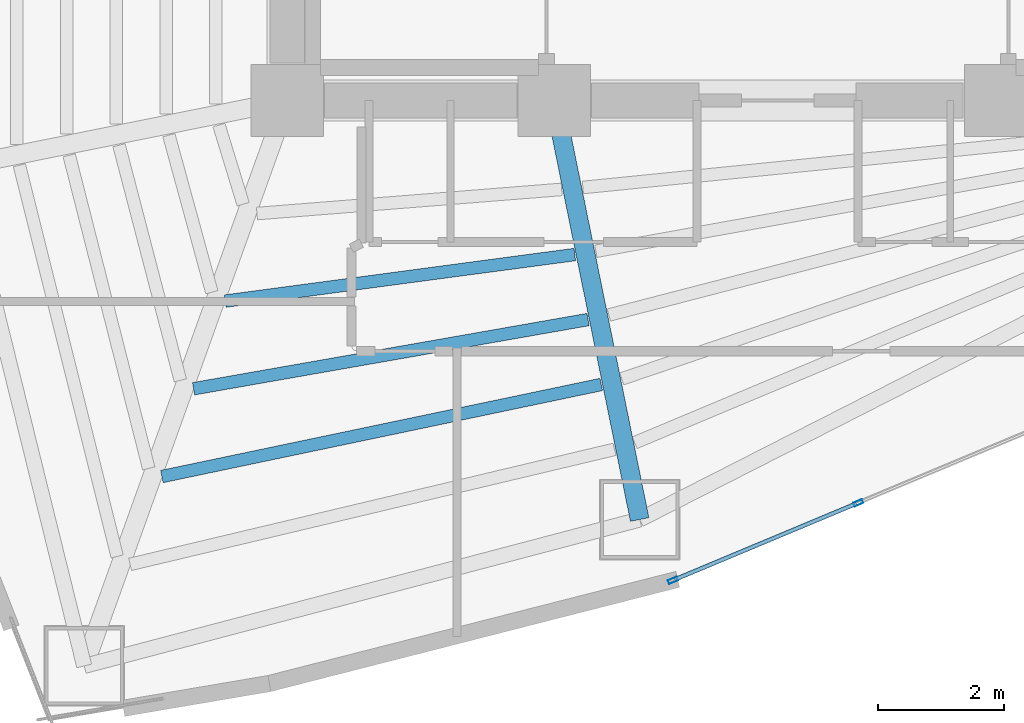
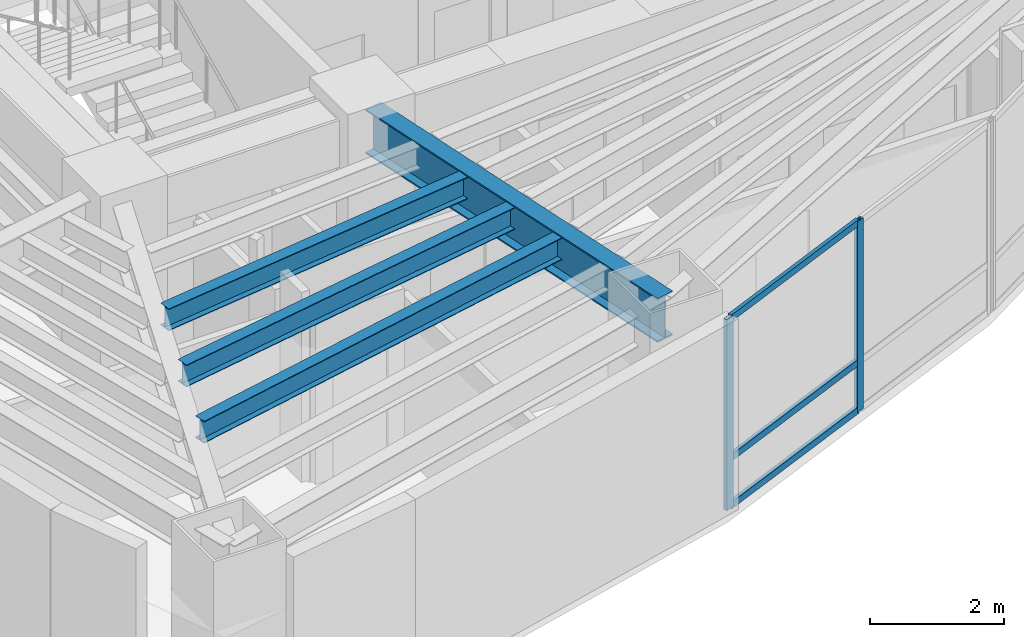
# One storey, part 2 of 18: 5 members, 4 beams, 1 element without a shape of its own.
"""IFC4 building model written with IfcOpenShell, lengths in metres."""

import ifcopenshell
import ifcopenshell.guid

model = None  # the IFC model being written
_history = None  # IfcOwnerHistory: only IFC2X3 demands one
_inside = {}  # id of a spatial element -> (the spatial element, [elements in it])
_under = {}  # id of a project, library or spatial element -> (it, [spatial elements below it])
_declared = {}  # id of a project -> (the project, [libraries it declares])
_typed = {}  # id of a type object -> (the type object, [elements of that type])
_made_of = {}  # id of a material, layer set ... -> (it, [elements and type objects made of it])


def new_model(schema):
    """Start an empty IFC model of exactly this schema.

    Asked for "IFC4X3", IfcOpenShell would pick the latest addendum, in which some entities
    have other attributes; the version numbers below select the first issue.
    IFC2X3 requires an IfcOwnerHistory on every rooted entity: one is made here for all.
    """
    global model, _history
    if schema == "IFC4X3":
        model = ifcopenshell.file(schema_version=(4, 3, 0, 0))
    else:
        model = ifcopenshell.file(schema=schema)
    _inside.clear()
    _under.clear()
    _declared.clear()
    _typed.clear()
    _made_of.clear()
    _history = None
    if model.schema == "IFC2X3":
        org = make("IfcOrganization", Name="unknown")
        user = make(
            "IfcPersonAndOrganization",
            ThePerson=make("IfcPerson", FamilyName="unknown"),
            TheOrganization=org,
        )
        app = make(
            "IfcApplication",
            ApplicationDeveloper=org,
            Version="unknown",
            ApplicationFullName="unknown",
            ApplicationIdentifier="unknown",
        )
        _history = make(
            "IfcOwnerHistory",
            OwningUser=user,
            OwningApplication=app,
            ChangeAction="ADDED",
            CreationDate=0,
        )
    return model


def make(cls, **values):
    """One entity of the class cls with the attributes given. An attribute that is None is left unset."""
    return model.create_entity(
        cls, **{name: value for name, value in values.items() if value is not None}
    )


def rooted(cls, **values):
    """An entity with a GlobalId (a new one), such as an element, a storey or a relation."""
    return make(cls, GlobalId=ifcopenshell.guid.new(), OwnerHistory=_history, **values)


def si_unit(unit_type, name, prefix=None):
    """IfcSIUnit, for example si_unit("LENGTHUNIT", "METRE", prefix="MILLI")."""
    return make("IfcSIUnit", UnitType=unit_type, Prefix=prefix, Name=name)


def assignment(units):
    """IfcUnitAssignment: the units of a project."""
    return None if units is None else make("IfcUnitAssignment", Units=units)


def point(xyz):
    """IfcCartesianPoint."""
    return None if xyz is None else make("IfcCartesianPoint", Coordinates=xyz)


def direction(xyz):
    """IfcDirection."""
    return None if xyz is None else make("IfcDirection", DirectionRatios=xyz)


def frame(location, z_axis=None, x_axis=None):
    """IfcAxis2Placement3D, a coordinate frame: its origin and axes. An axis left out is left unset."""
    return make(
        "IfcAxis2Placement3D",
        Location=point(location),
        Axis=direction(z_axis),
        RefDirection=direction(x_axis),
    )


def frame_2d(location, x_axis=None):
    """IfcAxis2Placement2D, a coordinate frame in the plane: its origin and x axis."""
    return make(
        "IfcAxis2Placement2D", Location=point(location), RefDirection=direction(x_axis)
    )


def origin():
    """The frame at (0, 0, 0) with its axes left unset."""
    return frame((0.0, 0.0, 0.0))


def origin_2d():
    """The frame at (0, 0) in the plane with its x axis left unset."""
    return frame_2d((0.0, 0.0))


def place(relative_to, where):
    """IfcLocalPlacement: puts the frame where relative to a parent placement (None: the world)."""
    return make(
        "IfcLocalPlacement", PlacementRelTo=relative_to, RelativePlacement=where
    )


def context(
    kind, dimensions, precision=None, world=None, true_north=None, identifier=None
):
    """IfcGeometricRepresentationContext, for example the 3D "Model" context."""
    return make(
        "IfcGeometricRepresentationContext",
        ContextIdentifier=identifier,
        ContextType=kind,
        CoordinateSpaceDimension=dimensions,
        Precision=precision,
        WorldCoordinateSystem=world,
        TrueNorth=true_north,
    )


def subcontext(parent, identifier, kind, view, scale=None):
    """IfcGeometricRepresentationSubContext, for example "Body" below "Model"."""
    return make(
        "IfcGeometricRepresentationSubContext",
        ContextIdentifier=identifier,
        ContextType=kind,
        ParentContext=parent,
        TargetScale=scale,
        TargetView=view,
    )


def project(units=None, contexts=None):
    """IfcProject with its units and contexts."""
    return rooted(
        "IfcProject",
        Name="project",
        RepresentationContexts=contexts,
        UnitsInContext=assignment(units),
    )


def spatial(cls, under=None, at=None, **own):
    """A site, building, storey or space (cls), placed at a placement, below another one or the project."""
    s = rooted(cls, ObjectPlacement=at, **own)
    if under is not None:
        _under.setdefault(under.id(), (under, []))[1].append(s)
    return s


def profile(cls, at=None, kind="AREA", **sizes):
    """A parametric profile (cls). Its sizes go by their IFC names, for example OverallWidth=200.0."""
    return make(cls, ProfileType=kind, Position=at, **sizes)


def hollow_rectangle(**sizes):
    """IfcRectangleHollowProfileDef."""
    return profile("IfcRectangleHollowProfileDef", **sizes)


def i_section(**sizes):
    """IfcIShapeProfileDef."""
    return profile("IfcIShapeProfileDef", **sizes)


def extrude(swept, where, along, depth):
    """IfcExtrudedAreaSolid: the profile swept, set in the frame where, extruded along a direction by depth."""
    return make(
        "IfcExtrudedAreaSolid",
        SweptArea=swept,
        Position=where,
        ExtrudedDirection=direction(along),
        Depth=depth,
    )


def shape(context_of_items, identifier, shape_type, items):
    """IfcShapeRepresentation: the items that make up one representation, for example the "Body"."""
    return make(
        "IfcShapeRepresentation",
        ContextOfItems=context_of_items,
        RepresentationIdentifier=identifier,
        RepresentationType=shape_type,
        Items=items,
    )


def material(Name=None, Category=None):
    """IfcMaterial."""
    return make("IfcMaterial", Name=Name, Category=Category)


def layer(
    of_material, thickness, ventilated=None, Name=None, Category=None, Priority=None
):
    """IfcMaterialLayer: one layer of a wall or slab, of a material (None: an air gap)."""
    return make(
        "IfcMaterialLayer",
        Material=of_material,
        LayerThickness=thickness,
        IsVentilated=ventilated,
        Name=Name,
        Category=Category,
        Priority=Priority,
    )


def layer_set(layers, Name=None):
    """IfcMaterialLayerSet."""
    return make("IfcMaterialLayerSet", MaterialLayers=layers, LayerSetName=Name)


def material_profile(
    of_material, cross_section, Name=None, Category=None, Priority=None
):
    """IfcMaterialProfile: a cross section and its material."""
    return make(
        "IfcMaterialProfile",
        Name=Name,
        Material=of_material,
        Profile=cross_section,
        Priority=Priority,
        Category=Category,
    )


def profile_set(profiles, Name=None, composite=None):
    """IfcMaterialProfileSet."""
    return make(
        "IfcMaterialProfileSet",
        Name=Name,
        MaterialProfiles=profiles,
        CompositeProfile=composite,
    )


def made_of(thing, what):
    """Note that an element or type object is made of a material, layer set ...; save() writes the relation."""
    if what is not None:
        _made_of.setdefault(what.id(), (what, []))[1].append(thing)
    return thing


def type_object(cls, material=None, **own):
    """A type object (cls), such as IfcWallType, which elements share."""
    return made_of(rooted(cls, **own), material)


def element(
    cls,
    number,
    at=None,
    inside=None,
    cuts=None,
    type_object=None,
    material=None,
    context=None,
    identifier="Body",
    shape_type=None,
    held_by="IfcProductDefinitionShape",
    body=None,
    shapes=None,
    **own,
):
    """One element of the class cls, such as IfcWall. Its Tag is "e" and its number.

    at: its placement. inside: the storey or other place that contains it. cuts: it is an
    opening in that element (IfcRelVoidsElement). A single representation is given by context,
    identifier, shape_type and body (its items); several are given by shapes. held_by: the class
    of the entity that holds the representations. save() writes the other relations.
    """
    e = rooted(cls, Tag="e%d" % number, ObjectPlacement=at, **own)
    if body is not None:
        shapes = [shape(context, identifier, shape_type, body)]
    if shapes is not None:
        e.Representation = make(held_by, Representations=shapes)
    if inside is not None:
        _inside.setdefault(inside.id(), (inside, []))[1].append(e)
    if cuts is not None:
        rooted(
            "IfcRelVoidsElement", RelatingBuildingElement=cuts, RelatedOpeningElement=e
        )
    if type_object is not None:
        _typed.setdefault(type_object.id(), (type_object, []))[1].append(e)
    return made_of(e, material)


def aggregate(whole, parts):
    """IfcRelAggregates: a whole, such as a stair, and the parts it consists of."""
    return rooted("IfcRelAggregates", RelatingObject=whole, RelatedObjects=parts)


def save(model, path):
    """Write the relations noted so far, then the file.

    IfcRelAggregates (storeys below a building ...), IfcRelContainedInSpatialStructure (elements
    in a storey), IfcRelDefinesByType, IfcRelAssociatesMaterial and IfcRelDeclares: one each for
    every whole, place, type object, material and project.
    """
    for whole, parts in _under.values():
        aggregate(whole, parts)
    for where, things in _inside.values():
        rooted(
            "IfcRelContainedInSpatialStructure",
            RelatedElements=things,
            RelatingStructure=where,
        )
    for kind, things in _typed.values():
        rooted("IfcRelDefinesByType", RelatedObjects=things, RelatingType=kind)
    for what, things in _made_of.values():
        rooted("IfcRelAssociatesMaterial", RelatedObjects=things, RelatingMaterial=what)
    for by, libraries in _declared.values():
        rooted("IfcRelDeclares", RelatingContext=by, RelatedDefinitions=libraries)
    model.write(path)


model = new_model("IFC4")

# Units and contexts
model_context = context("Model", 3, precision=1e-05, world=origin(), true_north=direction((0.0, 1.0)))
body_context = subcontext(model_context, "Body", "Model", "MODEL_VIEW")
ifc_project = project(units=[si_unit("LENGTHUNIT", "METRE"), si_unit("AREAUNIT", "SQUARE_METRE"), si_unit("VOLUMEUNIT", "CUBIC_METRE"), si_unit("PLANEANGLEUNIT", "RADIAN"), si_unit("MASSUNIT", "GRAM", prefix="KILO")], contexts=[model_context])

# Site, building, storey
site_placement = place(None, origin())
site = spatial("IfcSite", under=ifc_project, at=site_placement, CompositionType="ELEMENT")
building_placement = place(site_placement, origin())
building = spatial("IfcBuilding", under=site, at=building_placement, Name="Menara Vayukalpa", CompositionType="ELEMENT")
storey_placement = place(building_placement, frame((0.0, 0.0, 126.300048828125)))
storey = spatial("IfcBuildingStorey", under=building, at=storey_placement, Name="L31", CompositionType="ELEMENT", Elevation=126.300048828125)

# Beams
ifc_material_1 = material(Name="Steel S355", Category="steel")
ifc_material_profile_1 = material_profile(ifc_material_1, i_section(OverallWidth=0.300048828125, OverallDepth=0.800048828125, WebThickness=0.013916015625, FlangeThickness=0.02587890625, at=origin_2d()), Name="WF 800x300x14x26")
ifc_profile_set_1 = profile_set([ifc_material_profile_1], Name="Steel S355")
beam_type_1 = type_object("IfcBeamType", Name="BM-PG3", PredefinedType="BEAM", material=ifc_profile_set_1)
beam_1_placement = place(storey_placement, frame((22.099853515625, 16.955078125, 3.070068359375), z_axis=(0.199617728418, -0.9798738503, 0.0), x_axis=(0.9798738503, 0.199617728418, 0.0)))
element("IfcBeam", 1, at=beam_1_placement, inside=storey, type_object=beam_type_1, Name="L31 Primary Radial Girder RG08", PredefinedType="BEAM", context=body_context, shape_type="SweptSolid", body=[
    extrude(i_section(OverallWidth=0.300048828125, OverallDepth=0.800048828125, WebThickness=0.013916015625, FlangeThickness=0.02587890625, at=origin_2d()), origin(), (0.0, 0.0, 1.0), 6.55419921875),
])
ifc_material_2 = material(Name="Steel S355", Category="steel")
ifc_material_profile_2 = material_profile(ifc_material_2, i_section(OverallWidth=0.199951171875, OverallDepth=0.39990234375, WebThickness=0.008056640625, FlangeThickness=0.012939453125, at=origin_2d()), Name="WF 400x200x8x13")
ifc_profile_set_2 = profile_set([ifc_material_profile_2], Name="Steel S355")
beam_type_2 = type_object("IfcBeamType", Name="BM-SJ2", PredefinedType="JOIST", material=ifc_profile_set_2)
beam_2_placement = place(storey_placement, frame((16.814208984375, 14.008056640625, 3.27001953125), z_axis=(0.991248408809, 0.132009817941, 0.0), x_axis=(-0.132009817941, 0.991248408809, 0.0)))
element("IfcBeam", 2, at=beam_2_placement, inside=storey, type_object=beam_type_2, Name="L31 Secondary Floor Joist SJ07-2", PredefinedType="JOIST", context=body_context, shape_type="SweptSolid", body=[
    extrude(i_section(OverallWidth=0.199951171875, OverallDepth=0.39990234375, WebThickness=0.008056640625, FlangeThickness=0.012939453125, at=origin_2d()), origin(), (0.0, 0.0, 1.0), 5.611083984375),
])
beam_3_placement = place(storey_placement, frame((16.309814453125, 12.613037109375, 3.27001953125), z_axis=(0.984953935883, 0.172817083033, 0.0), x_axis=(-0.172817083033, 0.984953935883, 0.0)))
element("IfcBeam", 3, at=beam_3_placement, inside=storey, type_object=beam_type_2, Name="L31 Secondary Floor Joist SJ07-3", PredefinedType="JOIST", context=body_context, shape_type="SweptSolid", body=[
    extrude(i_section(OverallWidth=0.199951171875, OverallDepth=0.39990234375, WebThickness=0.008056640625, FlangeThickness=0.012939453125, at=origin_2d()), origin(), (0.0, 0.0, 1.0), 6.372802734375),
])
beam_4_placement = place(storey_placement, frame((15.805419921875, 11.216552734375, 3.27001953125), z_axis=(0.978749487369, 0.205059603471, 0.0), x_axis=(-0.205059603471, 0.978749487369, 0.0)))
element("IfcBeam", 4, at=beam_4_placement, inside=storey, type_object=beam_type_2, Name="L31 Secondary Floor Joist SJ07-4", PredefinedType="JOIST", context=body_context, shape_type="SweptSolid", body=[
    extrude(i_section(OverallWidth=0.199951171875, OverallDepth=0.39990234375, WebThickness=0.008056640625, FlangeThickness=0.012939453125, at=origin_2d()), origin(), (0.0, 0.0, 1.0), 7.1435546875),
])

# Curtain wall, members
ifc_material_3 = material(Name="Anodised Terracotta Aluminium Alloy 6063-T6", Category="masonry")
ifc_layer = layer(ifc_material_3, 0.14990234375)
ifc_layer_set = layer_set([ifc_layer], Name="Anodised Terracotta Aluminium Alloy 6063-T6")
curtain_wall_type = type_object("IfcCurtainWallType", Name="CW-CW3", PredefinedType="USERDEFINED", material=ifc_layer_set)
curtain_wall_placement = place(storey_placement, origin())
curtain_wall = element("IfcCurtainWall", 5, at=curtain_wall_placement, inside=storey, type_object=curtain_wall_type, Name="L31 Mid Rise Terracotta Ribbon Curtain Wall CW3 16", ObjectType="UNITISED", PredefinedType="USERDEFINED")
ifc_material_4 = material(Name="Anodised Terracotta Aluminium Alloy 6063-T6", Category="masonry")
ifc_material_profile_3 = material_profile(ifc_material_4, hollow_rectangle(XDim=0.06494140625, YDim=0.14990234375, WallThickness=0.00341796875, at=origin_2d()), Name="ALU 65x150x3.5")
ifc_profile_set_3 = profile_set([ifc_material_profile_3], Name="Anodised Terracotta Aluminium Alloy 6063-T6")
member_type_1 = type_object("IfcMemberType", Name="CWM-CW3", PredefinedType="MULLION", material=ifc_profile_set_3)
member_1_placement = place(storey_placement, frame((23.9375, 9.56494140625, 0.0), z_axis=(0.0, 0.0, 1.0), x_axis=(-0.38589358437, 0.922543300632, 0.0)))
member_1 = element("IfcMember", 6, at=member_1_placement, type_object=member_type_1, Name="CW3 mullion 1", PredefinedType="MULLION", context=body_context, shape_type="SweptSolid", body=[
    extrude(hollow_rectangle(XDim=0.06494140625, YDim=0.14990234375, WallThickness=0.00341796875, at=origin_2d()), origin(), (0.0, 0.0, 1.0), 3.469970703125),
])
member_2_placement = place(storey_placement, frame((26.88671875, 10.798583984375, 0.0), z_axis=(0.0, 0.0, 1.0), x_axis=(-0.38589358437, 0.922543300632, 0.0)))
member_2 = element("IfcMember", 7, at=member_2_placement, type_object=member_type_1, Name="CW3 mullion 2", PredefinedType="MULLION", context=body_context, shape_type="SweptSolid", body=[
    extrude(hollow_rectangle(XDim=0.06494140625, YDim=0.14990234375, WallThickness=0.00341796875, at=origin_2d()), origin(), (0.0, 0.0, 1.0), 3.469970703125),
])
ifc_material_5 = material(Name="Anodised Terracotta Aluminium Alloy 6063-T6", Category="masonry")
ifc_material_profile_4 = material_profile(ifc_material_5, hollow_rectangle(XDim=0.06494140625, YDim=0.1201171875, WallThickness=0.00341796875, at=origin_2d()), Name="ALU 65x120x3.5")
ifc_profile_set_4 = profile_set([ifc_material_profile_4], Name="Anodised Terracotta Aluminium Alloy 6063-T6")
member_type_2 = type_object("IfcMemberType", Name="CWT-CW3", PredefinedType="USERDEFINED", material=ifc_profile_set_4)
member_3_placement = place(storey_placement, frame((23.96728515625, 9.577392578125, 0.032470703125), z_axis=(0.922529423765, 0.385926757673, 0.0), x_axis=(-0.385926757673, 0.922529423765, 0.0)))
member_3 = element("IfcMember", 8, at=member_3_placement, type_object=member_type_2, Name="CW3 transom 1.1", ObjectType="TRANSOM", PredefinedType="USERDEFINED", context=body_context, shape_type="SweptSolid", body=[
    extrude(hollow_rectangle(XDim=0.06494140625, YDim=0.1201171875, WallThickness=0.00341796875, at=origin_2d()), origin(), (0.0, 0.0, 1.0), 3.132080078125),
])
member_4_placement = place(storey_placement, frame((23.96728515625, 9.577392578125, 0.89990234375), z_axis=(0.922529423765, 0.385926757673, 0.0), x_axis=(-0.385926757673, 0.922529423765, 0.0)))
member_4 = element("IfcMember", 9, at=member_4_placement, type_object=member_type_2, Name="CW3 transom 1.2", ObjectType="TRANSOM", PredefinedType="USERDEFINED", context=body_context, shape_type="SweptSolid", body=[
    extrude(hollow_rectangle(XDim=0.06494140625, YDim=0.1201171875, WallThickness=0.00341796875, at=origin_2d()), origin(), (0.0, 0.0, 1.0), 3.132080078125),
])
member_5_placement = place(storey_placement, frame((23.96728515625, 9.577392578125, 3.4375), z_axis=(0.922529423765, 0.385926757673, 0.0), x_axis=(-0.385926757673, 0.922529423765, 0.0)))
member_5 = element("IfcMember", 10, at=member_5_placement, type_object=member_type_2, Name="CW3 transom 1.3", ObjectType="TRANSOM", PredefinedType="USERDEFINED", context=body_context, shape_type="SweptSolid", body=[
    extrude(hollow_rectangle(XDim=0.06494140625, YDim=0.1201171875, WallThickness=0.00341796875, at=origin_2d()), origin(), (0.0, 0.0, 1.0), 3.132080078125),
])
aggregate(curtain_wall, [member_1, member_2, member_3, member_4, member_5])

save(model, "model.ifc")
